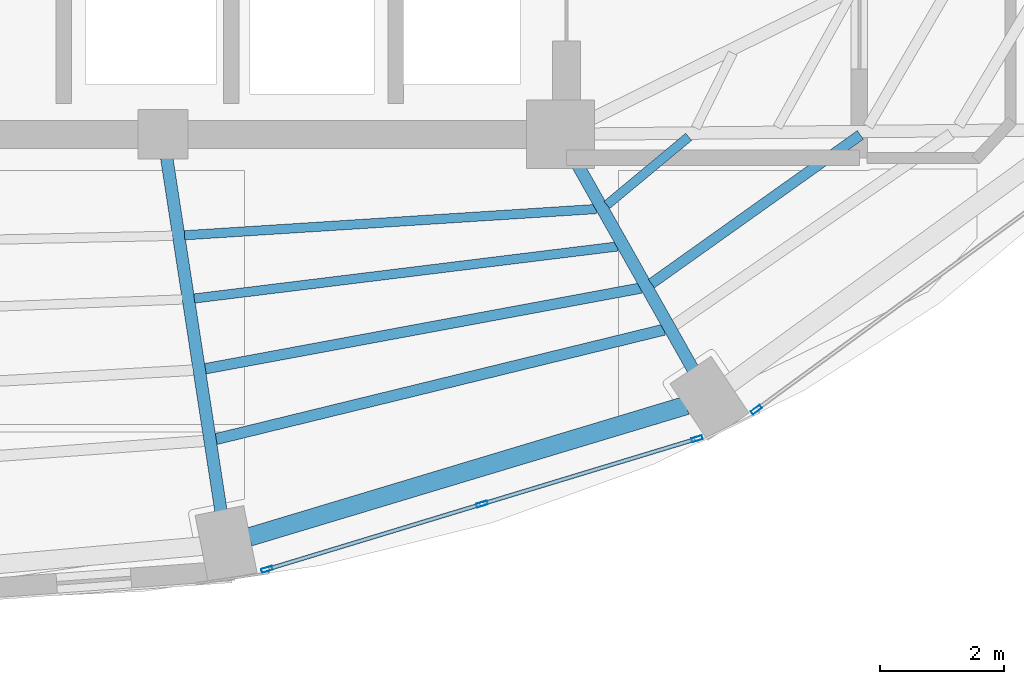
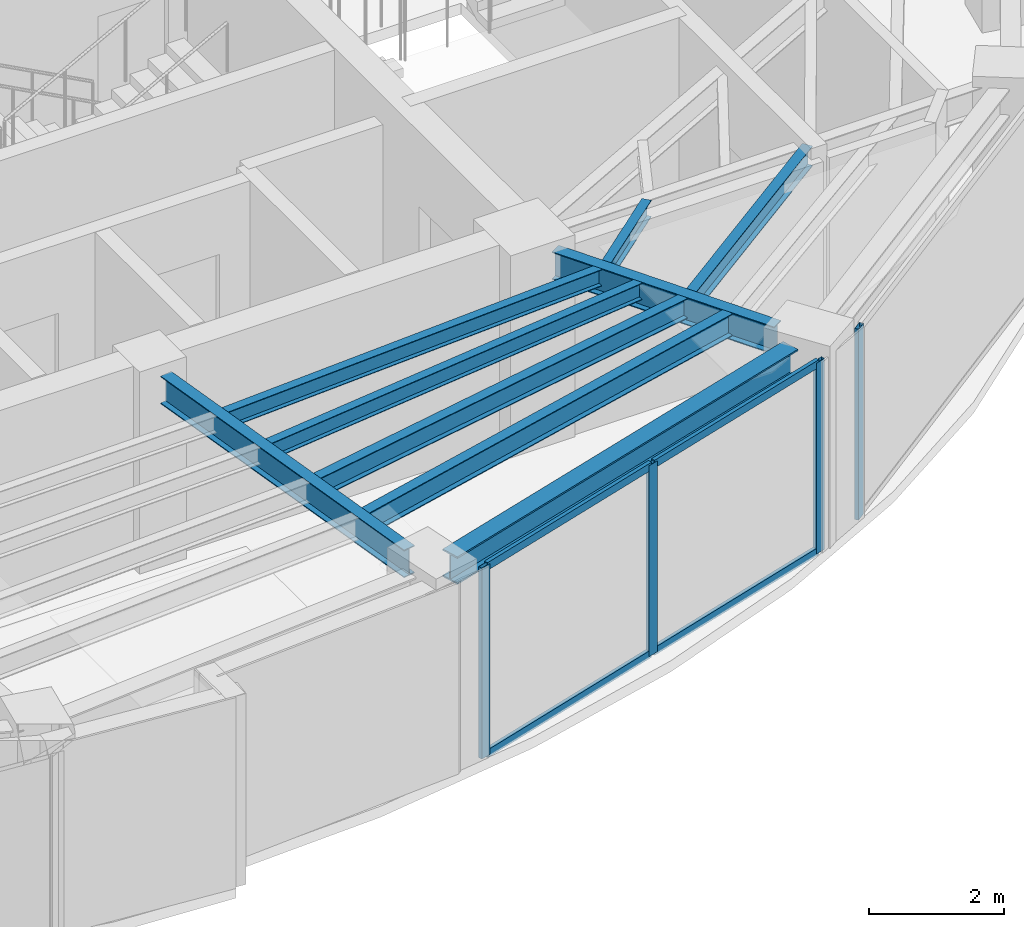
# One storey, part 2 of 13: 9 beams, 8 members, 2 elements without a shape of their own.
"""IFC4 building model written with IfcOpenShell, lengths in metres."""

from ifc_helpers import new_model, si_unit, direction, frame, origin, origin_2d, place, context, subcontext, project, spatial, hollow_rectangle, i_section, extrude, material, layer, layer_set, material_profile, profile_set, type_object, element, aggregate, save


model = new_model("IFC4")

# Units and contexts
model_context = context("Model", 3, precision=1e-05, world=origin(), true_north=direction((0.0, 1.0)))
body_context = subcontext(model_context, "Body", "Model", "MODEL_VIEW")
ifc_project = project(units=[si_unit("LENGTHUNIT", "METRE"), si_unit("AREAUNIT", "SQUARE_METRE"), si_unit("VOLUMEUNIT", "CUBIC_METRE"), si_unit("PLANEANGLEUNIT", "RADIAN"), si_unit("MASSUNIT", "GRAM", prefix="KILO")], contexts=[model_context])

# Site, building, storey
site_placement = place(None, origin())
site = spatial("IfcSite", under=ifc_project, at=site_placement, CompositionType="ELEMENT")
building_placement = place(site_placement, origin())
building = spatial("IfcBuilding", under=site, at=building_placement, Name="Lazwardi Medical Tower", CompositionType="ELEMENT")
storey_placement = place(building_placement, frame((0.0, 0.0, 295.152099609375)))
storey = spatial("IfcBuildingStorey", under=building, at=storey_placement, Name="L77", CompositionType="ELEMENT", Elevation=295.152099609375)

# Beams
ifc_material_1 = material(Name="Steel S355", Category="steel")
ifc_material_profile_1 = material_profile(ifc_material_1, i_section(OverallWidth=0.300048828125, OverallDepth=0.5, WebThickness=0.014404296875, FlangeThickness=0.028076171875, at=origin_2d()), Name="HEB 500")
ifc_profile_set_1 = profile_set([ifc_material_profile_1], Name="Steel S355")
beam_type_1 = type_object("IfcBeamType", Name="BM-RB-Z4", PredefinedType="BEAM", material=ifc_profile_set_1)
beam_1_placement = place(storey_placement, frame((40.58740234375, 13.9140625, 3.197998046875), z_axis=(0.957544311906, 0.288286126506, 0.0), x_axis=(-0.288286126506, 0.957544311906, 0.0)))
element("IfcBeam", 1, at=beam_1_placement, inside=storey, type_object=beam_type_1, Name="Ring beam RB-05 B01 L77", PredefinedType="BEAM", context=body_context, shape_type="SweptSolid", body=[
    extrude(i_section(OverallWidth=0.300048828125, OverallDepth=0.5, WebThickness=0.014404296875, FlangeThickness=0.028076171875, at=origin_2d()), origin(), (0.0, 0.0, 1.0), 7.3515625),
])
ifc_material_profile_2 = material_profile(ifc_material_1, i_section(OverallWidth=0.199951171875, OverallDepth=0.5, WebThickness=0.01025390625, FlangeThickness=0.01611328125, at=origin_2d()), Name="IPE 500")
ifc_profile_set_2 = profile_set([ifc_material_profile_2], Name="Steel S355")
beam_type_2 = type_object("IfcBeamType", Name="BM-RG-W3", PredefinedType="BEAM", material=ifc_profile_set_2)
beam_2_placement = place(storey_placement, frame((40.1328125, 14.33056640625, 3.197998046875), z_axis=(-0.151894625259, 0.988396693043, 0.0), x_axis=(-0.988396693043, -0.151894625259, 0.0)))
element("IfcBeam", 2, at=beam_2_placement, inside=storey, type_object=beam_type_2, Name="Radial girder RG-04 R01 L77", PredefinedType="BEAM", context=body_context, shape_type="SweptSolid", body=[
    extrude(i_section(OverallWidth=0.199951171875, OverallDepth=0.5, WebThickness=0.01025390625, FlangeThickness=0.01611328125, at=origin_2d()), origin(), (0.0, 0.0, 1.0), 5.755859375),
])
beam_3_placement = place(storey_placement, frame((47.7373046875, 16.61181640625, 3.197998046875), z_axis=(-0.491403349237, 0.870932114667, 0.0), x_axis=(-0.870932114667, -0.491403349237, 0.0)))
element("IfcBeam", 3, at=beam_3_placement, inside=storey, type_object=beam_type_2, Name="Radial girder RG-04 R02 L77", PredefinedType="BEAM", context=body_context, shape_type="SweptSolid", body=[
    extrude(i_section(OverallWidth=0.199951171875, OverallDepth=0.5, WebThickness=0.01025390625, FlangeThickness=0.01611328125, at=origin_2d()), origin(), (0.0, 0.0, 1.0), 3.814697265625),
])
ifc_material_profile_3 = material_profile(ifc_material_1, i_section(OverallWidth=0.179931640625, OverallDepth=0.39990234375, WebThickness=0.008544921875, FlangeThickness=0.013427734375, at=origin_2d()), Name="IPE 400")
ifc_profile_set_3 = profile_set([ifc_material_profile_3], Name="Steel S355")
beam_type_3 = type_object("IfcBeamType", Name="BM-SJ-01", PredefinedType="JOIST", material=ifc_profile_set_3)
beam_4_placement = place(storey_placement, frame((40.050048828125, 15.49072265625, 3.247802734375), z_axis=(0.971461103721, 0.237198912219, 0.0), x_axis=(-0.237198912219, 0.971461103721, 0.0)))
element("IfcBeam", 4, at=beam_4_placement, inside=storey, type_object=beam_type_3, Name="Secondary joist SJ-01 R1 B01 L77", PredefinedType="JOIST", context=body_context, shape_type="SweptSolid", body=[
    extrude(i_section(OverallWidth=0.179931640625, OverallDepth=0.39990234375, WebThickness=0.008544921875, FlangeThickness=0.013427734375, at=origin_2d()), origin(), (0.0, 0.0, 1.0), 7.432373046875),
])
ifc_material_profile_4 = material_profile(ifc_material_1, i_section(OverallWidth=0.169921875, OverallDepth=0.360107421875, WebThickness=0.008056640625, FlangeThickness=0.0126953125, at=origin_2d()), Name="IPE 360")
ifc_profile_set_4 = profile_set([ifc_material_profile_4], Name="Steel S355")
beam_type_4 = type_object("IfcBeamType", Name="BM-SJ-02", PredefinedType="JOIST", material=ifc_profile_set_4)
beam_5_placement = place(storey_placement, frame((39.87646484375, 16.623291015625, 3.267822265625), z_axis=(0.983270661344, 0.182150505189, 0.0), x_axis=(-0.182150505189, 0.983270661344, 0.0)))
element("IfcBeam", 5, at=beam_5_placement, inside=storey, type_object=beam_type_4, Name="Secondary joist SJ-02 R2 B01 L77", PredefinedType="JOIST", context=body_context, shape_type="SweptSolid", body=[
    extrude(i_section(OverallWidth=0.169921875, OverallDepth=0.360107421875, WebThickness=0.008056640625, FlangeThickness=0.0126953125, at=origin_2d()), origin(), (0.0, 0.0, 1.0), 7.13720703125),
])
beam_6_placement = place(storey_placement, frame((47.06494140625, 17.995849609375, 3.267822265625), z_axis=(0.814885852348, 0.579621469274, 0.0), x_axis=(-0.579621469274, 0.814885852348, 0.0)))
element("IfcBeam", 6, at=beam_6_placement, inside=storey, type_object=beam_type_4, Name="Secondary joist SJ-02 R2 B02 L77", PredefinedType="JOIST", context=body_context, shape_type="SweptSolid", body=[
    extrude(i_section(OverallWidth=0.169921875, OverallDepth=0.360107421875, WebThickness=0.008056640625, FlangeThickness=0.0126953125, at=origin_2d()), origin(), (0.0, 0.0, 1.0), 4.131103515625),
])
ifc_material_profile_5 = material_profile(ifc_material_1, i_section(OverallWidth=0.14990234375, OverallDepth=0.300048828125, WebThickness=0.007080078125, FlangeThickness=0.0107421875, at=origin_2d()), Name="IPE 300")
ifc_profile_set_5 = profile_set([ifc_material_profile_5], Name="Steel S355")
beam_type_5 = type_object("IfcBeamType", Name="BM-SJ-03", PredefinedType="JOIST", material=ifc_profile_set_5)
beam_7_placement = place(storey_placement, frame((39.702392578125, 17.755615234375, 3.2978515625), z_axis=(0.992528507109, 0.122012960685, 0.0), x_axis=(-0.122012960685, 0.992528507109, 0.0)))
element("IfcBeam", 7, at=beam_7_placement, inside=storey, type_object=beam_type_5, Name="Secondary joist SJ-03 R3 B01 L77", PredefinedType="JOIST", context=body_context, shape_type="SweptSolid", body=[
    extrude(i_section(OverallWidth=0.14990234375, OverallDepth=0.300048828125, WebThickness=0.007080078125, FlangeThickness=0.0107421875, at=origin_2d()), origin(), (0.0, 0.0, 1.0), 6.8671875),
])
beam_8_placement = place(storey_placement, frame((39.545654296875, 18.77392578125, 3.2978515625), z_axis=(0.997972905644, 0.063640235704, 0.0), x_axis=(-0.063640235704, 0.997972905644, 0.0)))
element("IfcBeam", 8, at=beam_8_placement, inside=storey, type_object=beam_type_5, Name="Secondary joist SJ-03 R4 B01 L77", PredefinedType="JOIST", context=body_context, shape_type="SweptSolid", body=[
    extrude(i_section(OverallWidth=0.14990234375, OverallDepth=0.300048828125, WebThickness=0.007080078125, FlangeThickness=0.0107421875, at=origin_2d()), origin(), (0.0, 0.0, 1.0), 6.648193359375),
])
beam_9_placement = place(storey_placement, frame((46.348388671875, 19.263916015625, 3.2978515625), z_axis=(0.768968334056, 0.639286869269, 0.0), x_axis=(-0.639286869269, 0.768968334056, 0.0)))
element("IfcBeam", 9, at=beam_9_placement, inside=storey, type_object=beam_type_5, Name="Secondary joist SJ-03 R4 B02 L77", PredefinedType="JOIST", context=body_context, shape_type="SweptSolid", body=[
    extrude(i_section(OverallWidth=0.14990234375, OverallDepth=0.300048828125, WebThickness=0.007080078125, FlangeThickness=0.0107421875, at=origin_2d()), origin(), (0.0, 0.0, 1.0), 1.713134765625),
])

# Curtain wall, members
ifc_material_2 = material(Name="Anodised bronze aluminium and solar control glazing", Category="aluminium")
ifc_layer = layer(ifc_material_2, 0.18994140625)
ifc_layer_set = layer_set([ifc_layer], Name="Anodised bronze aluminium and solar control glazing")
curtain_wall_type = type_object("IfcCurtainWallType", Name="CW-SYS-04", PredefinedType="NOTDEFINED", material=ifc_layer_set)
curtain_wall_1_placement = place(storey_placement, origin())
curtain_wall_1 = element("IfcCurtainWall", 10, at=curtain_wall_1_placement, inside=storey, type_object=curtain_wall_type, Name="L77 Unitised bronze curtain wall CW-04", PredefinedType="NOTDEFINED")
ifc_material_3 = material(Name="Anodised bronze aluminium", Category="aluminium")
ifc_material_profile_6 = material_profile(ifc_material_3, hollow_rectangle(XDim=0.06494140625, YDim=0.179931640625, WallThickness=0.00390625, at=origin_2d()), Name="ALU-MULLION 180x65x4")
ifc_profile_set_6 = profile_set([ifc_material_profile_6], Name="Anodised bronze aluminium")
member_type_1 = type_object("IfcMemberType", Name="CW-MUL-03", PredefinedType="MULLION", material=ifc_profile_set_6)
member_1_placement = place(storey_placement, frame((40.873046875, 13.392822265625, 0.0), z_axis=(0.0, 0.0, 1.0), x_axis=(-0.290581889515, 0.956850126972, 0.0)))
member_1 = element("IfcMember", 11, at=member_1_placement, type_object=member_type_1, Name="CW-04 mullion 1", PredefinedType="MULLION", context=body_context, shape_type="SweptSolid", body=[
    extrude(hollow_rectangle(XDim=0.06494140625, YDim=0.179931640625, WallThickness=0.00390625, at=origin_2d()), origin(), (0.0, 0.0, 1.0), 3.447998046875),
])
member_2_placement = place(storey_placement, frame((44.33642578125, 14.444580078125, 0.0), z_axis=(0.0, 0.0, 1.0), x_axis=(-0.290581889515, 0.956850126972, 0.0)))
member_2 = element("IfcMember", 12, at=member_2_placement, type_object=member_type_1, Name="CW-04 mullion 2", PredefinedType="MULLION", context=body_context, shape_type="SweptSolid", body=[
    extrude(hollow_rectangle(XDim=0.06494140625, YDim=0.179931640625, WallThickness=0.00390625, at=origin_2d()), origin(), (0.0, 0.0, 1.0), 3.447998046875),
])
member_3_placement = place(storey_placement, frame((47.7998046875, 15.496337890625, 0.0), z_axis=(0.0, 0.0, 1.0), x_axis=(-0.290581889515, 0.956850126972, 0.0)))
member_3 = element("IfcMember", 13, at=member_3_placement, type_object=member_type_1, Name="CW-04 mullion 3", PredefinedType="MULLION", context=body_context, shape_type="SweptSolid", body=[
    extrude(hollow_rectangle(XDim=0.06494140625, YDim=0.179931640625, WallThickness=0.00390625, at=origin_2d()), origin(), (0.0, 0.0, 1.0), 3.447998046875),
])

# Curtain wall, member
curtain_wall_2_placement = place(storey_placement, origin())
curtain_wall_2 = element("IfcCurtainWall", 14, at=curtain_wall_2_placement, inside=storey, type_object=curtain_wall_type, Name="L77 Unitised bronze curtain wall CW-04", PredefinedType="NOTDEFINED")
member_4_placement = place(storey_placement, frame((48.75537109375, 15.965087890625, 0.0), z_axis=(0.0, 0.0, 1.0), x_axis=(-0.591268230971, 0.806474971121, 0.0)))
member_4 = element("IfcMember", 15, at=member_4_placement, type_object=member_type_1, Name="CW-04 mullion 1", PredefinedType="MULLION", context=body_context, shape_type="SweptSolid", body=[
    extrude(hollow_rectangle(XDim=0.06494140625, YDim=0.179931640625, WallThickness=0.00390625, at=origin_2d()), origin(), (0.0, 0.0, 1.0), 3.447998046875),
])
aggregate(curtain_wall_2, [member_4])

# Member
ifc_material_profile_7 = material_profile(ifc_material_3, hollow_rectangle(XDim=0.06494140625, YDim=0.139892578125, WallThickness=0.00341796875, at=origin_2d()), Name="ALU-TRANSOM 140x65x3.5")
ifc_profile_set_7 = profile_set([ifc_material_profile_7], Name="Anodised bronze aluminium")
member_type_2 = type_object("IfcMemberType", Name="CW-TRN-03", PredefinedType="USERDEFINED", material=ifc_profile_set_7)
member_5_placement = place(storey_placement, frame((40.904296875, 13.40234375, 0.032470703125), z_axis=(0.956843409009, 0.290604010015, 0.0), x_axis=(-0.290604010015, 0.956843409009, 0.0)))
member_5 = element("IfcMember", 16, at=member_5_placement, type_object=member_type_2, Name="CW-04 transom 1.1", ObjectType="TRANSOM", PredefinedType="USERDEFINED", context=body_context, shape_type="SweptSolid", body=[
    extrude(hollow_rectangle(XDim=0.06494140625, YDim=0.139892578125, WallThickness=0.00341796875, at=origin_2d()), origin(), (0.0, 0.0, 1.0), 3.554443359375),
])

member_6_placement = place(storey_placement, frame((40.904296875, 13.40234375, 3.415283203125), z_axis=(0.956843409009, 0.290604010015, 0.0), x_axis=(-0.290604010015, 0.956843409009, 0.0)))
member_6 = element("IfcMember", 17, at=member_6_placement, type_object=member_type_2, Name="CW-04 transom 1.2", ObjectType="TRANSOM", PredefinedType="USERDEFINED", context=body_context, shape_type="SweptSolid", body=[
    extrude(hollow_rectangle(XDim=0.06494140625, YDim=0.139892578125, WallThickness=0.00341796875, at=origin_2d()), origin(), (0.0, 0.0, 1.0), 3.554443359375),
])

member_7_placement = place(storey_placement, frame((44.367431640625, 14.4541015625, 0.032470703125), z_axis=(0.956843409009, 0.290604010015, 0.0), x_axis=(-0.290604010015, 0.956843409009, 0.0)))
member_7 = element("IfcMember", 18, at=member_7_placement, type_object=member_type_2, Name="CW-04 transom 2.1", ObjectType="TRANSOM", PredefinedType="USERDEFINED", context=body_context, shape_type="SweptSolid", body=[
    extrude(hollow_rectangle(XDim=0.06494140625, YDim=0.139892578125, WallThickness=0.00341796875, at=origin_2d()), origin(), (0.0, 0.0, 1.0), 3.554443359375),
])

member_8_placement = place(storey_placement, frame((44.367431640625, 14.4541015625, 3.415283203125), z_axis=(0.956843409009, 0.290604010015, 0.0), x_axis=(-0.290604010015, 0.956843409009, 0.0)))
member_8 = element("IfcMember", 19, at=member_8_placement, type_object=member_type_2, Name="CW-04 transom 2.2", ObjectType="TRANSOM", PredefinedType="USERDEFINED", context=body_context, shape_type="SweptSolid", body=[
    extrude(hollow_rectangle(XDim=0.06494140625, YDim=0.139892578125, WallThickness=0.00341796875, at=origin_2d()), origin(), (0.0, 0.0, 1.0), 3.554443359375),
])

aggregate(curtain_wall_1, [member_1, member_2, member_3, member_5, member_6, member_7, member_8])

save(model, "model.ifc")
